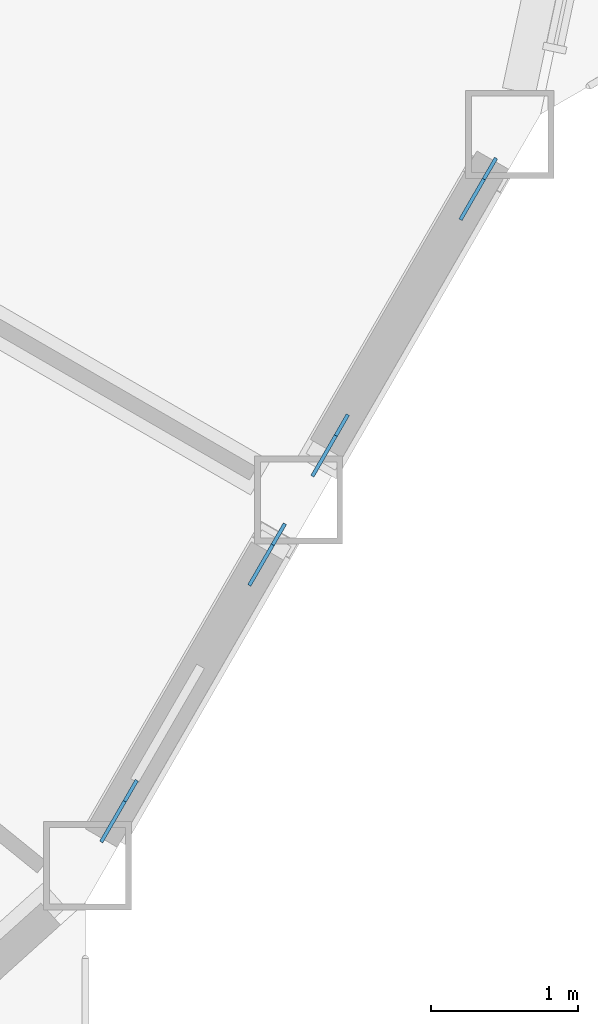
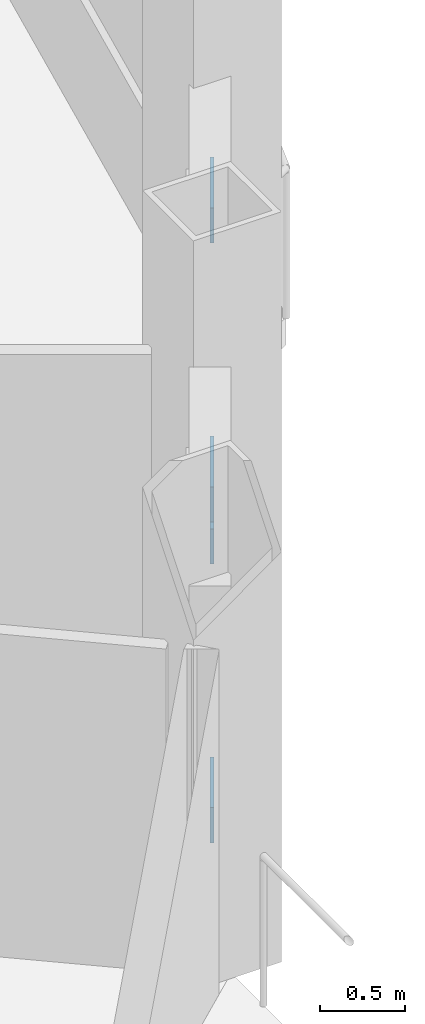
# One storey, part 21 of 27: 4 discrete accessories.
"""IFC4 building model written with IfcOpenShell, lengths in metres."""

from ifc_helpers import new_model, si_unit, direction, frame, origin, origin_2d, place, context, subcontext, project, spatial, rectangle, extrude, material, material_profile, profile_set, type_object, element, save


model = new_model("IFC4")

# Units and contexts
model_context = context("Model", 3, precision=1e-05, world=origin(), true_north=direction((0.0, 1.0)))
body_context = subcontext(model_context, "Body", "Model", "MODEL_VIEW")
ifc_project = project(units=[si_unit("LENGTHUNIT", "METRE"), si_unit("AREAUNIT", "SQUARE_METRE"), si_unit("VOLUMEUNIT", "CUBIC_METRE"), si_unit("PLANEANGLEUNIT", "RADIAN"), si_unit("MASSUNIT", "GRAM", prefix="KILO")], contexts=[model_context])

# Site, building, storey
site_placement = place(None, origin())
site = spatial("IfcSite", under=ifc_project, at=site_placement, CompositionType="ELEMENT")
building_placement = place(site_placement, origin())
building = spatial("IfcBuilding", under=site, at=building_placement, Name="Cormorant Prow Tower", CompositionType="ELEMENT")
storey_placement = place(building_placement, frame((0.0, 0.0, 335.800048828125)))
storey = spatial("IfcBuildingStorey", under=building, at=storey_placement, Name="L75", CompositionType="ELEMENT", Elevation=335.800048828125)

# Discrete accessories
ifc_material = material(Name="Structural steel ASTM A500 Gr C", Category="steel")
ifc_material_profile = material_profile(ifc_material, rectangle(XDim=0.02490234375, YDim=0.405029296875, at=origin_2d()), Name="Gusset plate 25x405")
ifc_profile_set = profile_set([ifc_material_profile], Name="Structural steel ASTM A500 Gr C")
discrete_accessory_type = type_object("IfcDiscreteAccessoryType", Name="Gusset plate 25x405", PredefinedType="BRACKET", material=ifc_profile_set)
discrete_accessory_placement = place(storey_placement, frame((26.289794921875, -17.817138671875, 0.86376953125), z_axis=(-0.456791619277, -0.790144892581, -0.408671586101), x_axis=(0.865740004385, -0.50049400077, 0.0)))
element("IfcDiscreteAccessory", 1, at=discrete_accessory_placement, inside=storey, type_object=discrete_accessory_type, Name="Gusset plate GP3 L75.ESE00.g0", PredefinedType="BRACKET", context=body_context, shape_type="SweptSolid", body=[
    extrude(rectangle(XDim=0.02490234375, YDim=0.405029296875, at=origin_2d()), origin(), (0.0, 0.0, 1.0), 0.35009765625),
])
for number, where, z_axis, x_axis, name in (
    (2, (27.137939453125, -16.34765625, 1.6240234375), (0.45649114423, 0.790134518758, 0.409027233209), (-0.865879799044, 0.500252110048, 0.0), "Gusset plate GP3 L75.ESE00.g1"),
    (3, (27.7265625, -15.328369140625, 0.86376953125), (-0.456239480558, -0.790396531303, -0.408801736402), (0.866071029786, -0.499920965119, 0.0), "Gusset plate GP3 L75.ESE01.g0"),
    (4, (28.574951171875, -13.85888671875, 1.6240234375), (0.456239480558, 0.790396531303, 0.408801736402), (-0.866071029786, 0.499920965119, 0.0), "Gusset plate GP3 L75.ESE01.g1"),
):
    element("IfcDiscreteAccessory", number, at=place(storey_placement, frame(where, z_axis=z_axis, x_axis=x_axis)), inside=storey, type_object=discrete_accessory_type, Name=name, PredefinedType="BRACKET", context=body_context, shape_type="SweptSolid", body=[
        extrude(rectangle(XDim=0.02490234375, YDim=0.405029296875, at=origin_2d()), origin(), (0.0, 0.0, 1.0), 0.349853515625),
    ])

save(model, "model.ifc")
